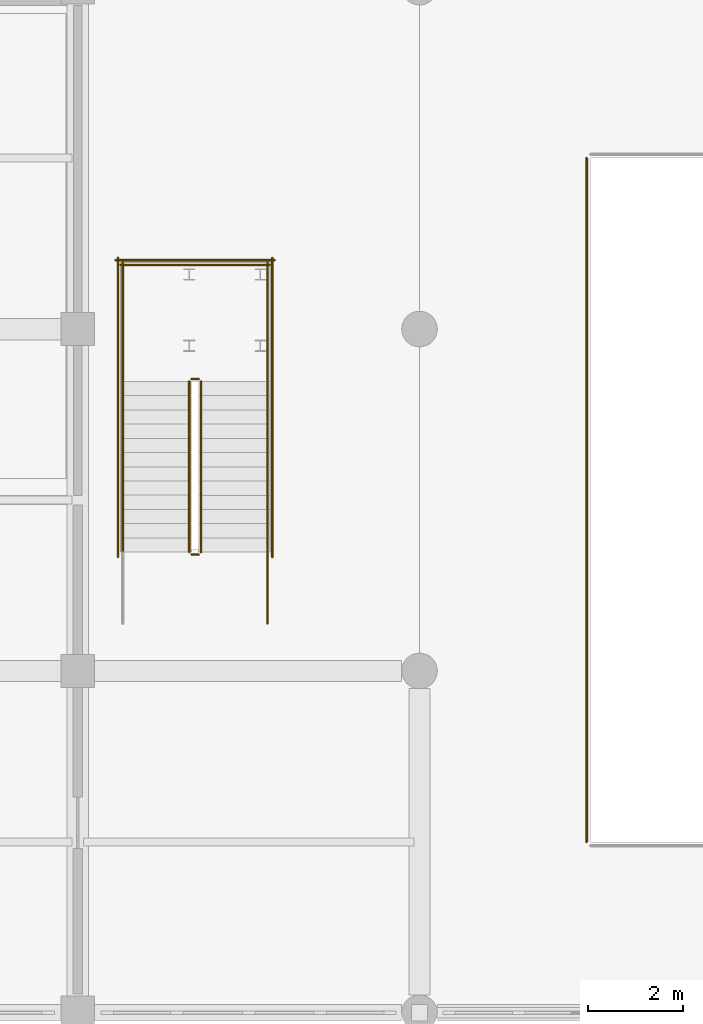
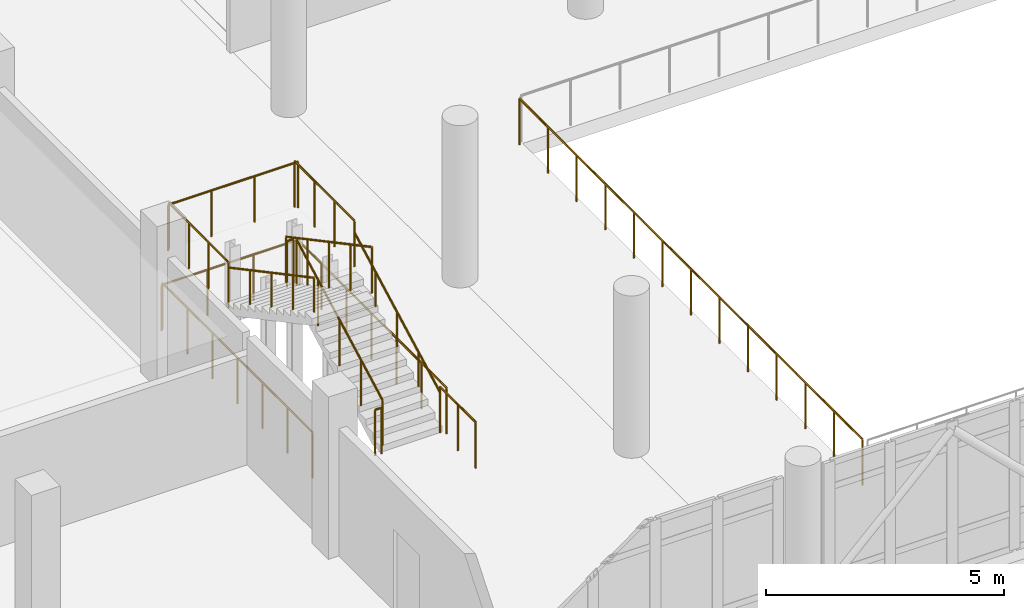
# One storey, part 49 of 57: 14 railings.
"""IFC4 building model written with IfcOpenShell, lengths in metres."""

from ifc_helpers import new_model, si_unit, direction, frame, origin, origin_2d, place, context, subcontext, project, spatial, circle, extrude, material, type_object, element, save


model = new_model("IFC4")

# Units and contexts
model_context = context("Model", 3, precision=1e-05, world=origin(), true_north=direction((0.0, 1.0)))
body_context = subcontext(model_context, "Body", "Model", "MODEL_VIEW")
ifc_project = project(units=[si_unit("LENGTHUNIT", "METRE"), si_unit("AREAUNIT", "SQUARE_METRE"), si_unit("VOLUMEUNIT", "CUBIC_METRE"), si_unit("PLANEANGLEUNIT", "RADIAN"), si_unit("MASSUNIT", "GRAM", prefix="KILO")], contexts=[model_context])

# Site, building, storey
site_placement = place(None, origin())
site = spatial("IfcSite", under=ifc_project, at=site_placement, CompositionType="ELEMENT")
building_placement = place(site_placement, origin())
building = spatial("IfcBuilding", under=site, at=building_placement, Name="Valkovuoma Quantum and Materials Research Institute", CompositionType="ELEMENT")
storey_placement = place(building_placement, frame((0.0, 0.0, 4.800048828125)))
storey = spatial("IfcBuildingStorey", under=building, at=storey_placement, Name="L01", CompositionType="ELEMENT", Elevation=4.800048828125)

# Railings
ifc_material_1 = material(Name="Hot-dip galvanised and powder-coated steel guardrail", Category="steel")
railing_type_1 = type_object("IfcRailingType", Name="Rail-GRD-EXT", PredefinedType="BALUSTRADE", material=ifc_material_1)
railing_1_placement = place(storey_placement, frame((46.719970703125, 39.60009765625, 0.0)))
element("IfcRailing", 1, at=railing_1_placement, inside=storey, type_object=railing_type_1, Name="L01 atrium_void balustrade W", PredefinedType="BALUSTRADE", context=body_context, shape_type="SweptSolid", body=[
    extrude(circle(Radius=0.02392578125, at=origin_2d()), frame((0.0, 0.0, 1.17578125), z_axis=(0.0, 1.0, 0.0), x_axis=(-1.0, 0.0, 0.0)), (0.0, 0.0, 1.0), 14.39990234375),
    extrude(circle(Radius=0.02099609375, at=origin_2d()), origin(), (0.0, 0.0, 1.0), 1.15185546875),
    extrude(circle(Radius=0.02099609375, at=origin_2d()), frame((0.0, 1.199951171875, 0.0)), (0.0, 0.0, 1.0), 1.15185546875),
    extrude(circle(Radius=0.02099609375, at=origin_2d()), frame((0.0, 2.39990234375, 0.0)), (0.0, 0.0, 1.0), 1.15185546875),
    extrude(circle(Radius=0.02099609375, at=origin_2d()), frame((0.0, 3.60009765625, 0.0)), (0.0, 0.0, 1.0), 1.15185546875),
    extrude(circle(Radius=0.02099609375, at=origin_2d()), frame((0.0, 4.800048828125, 0.0)), (0.0, 0.0, 1.0), 1.15185546875),
    extrude(circle(Radius=0.02099609375, at=origin_2d()), frame((0.0, 6.0, 0.0)), (0.0, 0.0, 1.0), 1.15185546875),
    extrude(circle(Radius=0.02099609375, at=origin_2d()), frame((0.0, 7.199951171875, 0.0)), (0.0, 0.0, 1.0), 1.15185546875),
    extrude(circle(Radius=0.02099609375, at=origin_2d()), frame((0.0, 8.39990234375, 0.0)), (0.0, 0.0, 1.0), 1.15185546875),
    extrude(circle(Radius=0.02099609375, at=origin_2d()), frame((0.0, 9.599853515625, 0.0)), (0.0, 0.0, 1.0), 1.15185546875),
    extrude(circle(Radius=0.02099609375, at=origin_2d()), frame((0.0, 10.7998046875, 0.0)), (0.0, 0.0, 1.0), 1.15185546875),
    extrude(circle(Radius=0.02099609375, at=origin_2d()), frame((0.0, 12.0, 0.0)), (0.0, 0.0, 1.0), 1.15185546875),
    extrude(circle(Radius=0.02099609375, at=origin_2d()), frame((0.0, 13.199951171875, 0.0)), (0.0, 0.0, 1.0), 1.15185546875),
    extrude(circle(Radius=0.02099609375, at=origin_2d()), frame((0.0, 14.39990234375, 0.0)), (0.0, 0.0, 1.0), 1.15185546875),
])
ifc_material_2 = material(Name="Painted steel stair balustrade", Category="steel")
railing_type_2 = type_object("IfcRailingType", Name="Rail-GRD-ST", PredefinedType="BALUSTRADE", material=ifc_material_2)
railing_2_placement = place(storey_placement, frame((38.60009765625, 45.699951171875, 0.159912109375)))
element("IfcRailing", 2, at=railing_2_placement, inside=storey, type_object=railing_type_2, Name="L01 ST-5 stair guard 1", PredefinedType="BALUSTRADE", context=body_context, shape_type="SweptSolid", body=[
    extrude(circle(Radius=0.02392578125, at=origin_2d()), frame((0.0, 0.0, 1.17578125), z_axis=(0.0, 0.882366192074, 0.470563389019), x_axis=(-1.0, 0.0, 0.0)), (0.0, 0.0, 1.0), 4.080078125),
    extrude(circle(Radius=0.02099609375, at=origin_2d()), origin(), (0.0, 0.0, 1.0), 1.15185546875),
    extrude(circle(Radius=0.02099609375, at=origin_2d()), frame((0.0, 0.89990234375, 0.47998046875)), (0.0, 0.0, 1.0), 1.15185546875),
    extrude(circle(Radius=0.02099609375, at=origin_2d()), frame((0.0, 1.800048828125, 0.9599609375)), (0.0, 0.0, 1.0), 1.15185546875),
    extrude(circle(Radius=0.02099609375, at=origin_2d()), frame((0.0, 2.7001953125, 1.43994140625)), (0.0, 0.0, 1.0), 1.15185546875),
    extrude(circle(Radius=0.02099609375, at=origin_2d()), frame((0.0, 3.60009765625, 1.919921875)), (0.0, 0.0, 1.0), 1.15185546875),
])
railing_3_placement = place(storey_placement, frame((38.550048828125, 49.35009765625, 2.079833984375)))
element("IfcRailing", 3, at=railing_3_placement, inside=storey, type_object=railing_type_2, Name="L01 ST-5 stair guard 2", PredefinedType="BALUSTRADE", context=body_context, shape_type="SweptSolid", body=[
    extrude(circle(Radius=0.02392578125, at=origin_2d()), frame((0.0, 0.0, 1.17578125), z_axis=(-1.0, 0.0, 0.0), x_axis=(0.0, -1.0, 0.0)), (0.0, 0.0, 1.0), 0.150146484375),
    extrude(circle(Radius=0.02099609375, at=origin_2d()), origin(), (0.0, 0.0, 1.0), 1.15185546875),
    extrude(circle(Radius=0.02099609375, at=origin_2d()), frame((-0.150146484375, 0.0, 0.0)), (0.0, 0.0, 1.0), 1.15185546875),
])
for number, where, name in (
    (4, (40.0, 49.300048828125, 2.079833984375), "L01 ST-5 stair guard 3"),
    (5, (36.949951171875, 49.300048828125, 2.079833984375), "L01 ST-5 stair guard 4"),
):
    element("IfcRailing", number, at=place(storey_placement, frame(where)), inside=storey, type_object=railing_type_2, Name=name, PredefinedType="BALUSTRADE", context=body_context, shape_type="SweptSolid", body=[
        extrude(circle(Radius=0.02392578125, at=origin_2d()), frame((0.0, 0.0, 1.17578125), z_axis=(0.0, 1.0, 0.0), x_axis=(-1.0, 0.0, 0.0)), (0.0, 0.0, 1.0), 2.5),
        extrude(circle(Radius=0.02099609375, at=origin_2d()), origin(), (0.0, 0.0, 1.0), 1.15185546875),
        extrude(circle(Radius=0.02099609375, at=origin_2d()), frame((0.0, 0.833251953125, 0.0)), (0.0, 0.0, 1.0), 1.15185546875),
        extrude(circle(Radius=0.02099609375, at=origin_2d()), frame((0.0, 1.666748046875, 0.0)), (0.0, 0.0, 1.0), 1.15185546875),
        extrude(circle(Radius=0.02099609375, at=origin_2d()), frame((0.0, 2.5, 0.0)), (0.0, 0.0, 1.0), 1.15185546875),
    ])
railing_4_placement = place(storey_placement, frame((40.050048828125, 51.75, 2.079833984375)))
element("IfcRailing", 6, at=railing_4_placement, inside=storey, type_object=railing_type_2, Name="L01 ST-5 stair guard 5", PredefinedType="BALUSTRADE", context=body_context, shape_type="SweptSolid", body=[
    extrude(circle(Radius=0.02392578125, at=origin_2d()), frame((0.0, 0.0, 1.17578125), z_axis=(-1.0, 0.0, 0.0), x_axis=(0.0, -1.0, 0.0)), (0.0, 0.0, 1.0), 3.150146484375),
    extrude(circle(Radius=0.02099609375, at=origin_2d()), origin(), (0.0, 0.0, 1.0), 1.15185546875),
    extrude(circle(Radius=0.02099609375, at=origin_2d()), frame((-1.050048828125, 0.0, 0.0)), (0.0, 0.0, 1.0), 1.15185546875),
    extrude(circle(Radius=0.02099609375, at=origin_2d()), frame((-2.10009765625, 0.0, 0.0)), (0.0, 0.0, 1.0), 1.15185546875),
    extrude(circle(Radius=0.02099609375, at=origin_2d()), frame((-3.150146484375, 0.0, 0.0)), (0.0, 0.0, 1.0), 1.15185546875),
])
railing_5_placement = place(storey_placement, frame((38.35009765625, 49.300048828125, 2.239990234375)))
element("IfcRailing", 7, at=railing_5_placement, inside=storey, type_object=railing_type_2, Name="L01 ST-5 stair guard 6", PredefinedType="BALUSTRADE", context=body_context, shape_type="SweptSolid", body=[
    extrude(circle(Radius=0.02392578125, at=origin_2d()), frame((0.0, 0.0, 1.17578125), z_axis=(0.0, -0.882366192074, 0.470563389019), x_axis=(1.0, 0.0, 0.0)), (0.0, 0.0, 1.0), 4.080078125),
    extrude(circle(Radius=0.02099609375, at=origin_2d()), origin(), (0.0, 0.0, 1.0), 1.15185546875),
    extrude(circle(Radius=0.02099609375, at=origin_2d()), frame((0.0, -0.89990234375, 0.47998046875)), (0.0, 0.0, 1.0), 1.15185546875),
    extrude(circle(Radius=0.02099609375, at=origin_2d()), frame((0.0, -1.800048828125, 0.9599609375)), (0.0, 0.0, 1.0), 1.15185546875),
    extrude(circle(Radius=0.02099609375, at=origin_2d()), frame((0.0, -2.7001953125, 1.43994140625)), (0.0, 0.0, 1.0), 1.15185546875),
    extrude(circle(Radius=0.02099609375, at=origin_2d()), frame((0.0, -3.60009765625, 1.919921875)), (0.0, 0.0, 1.0), 1.15185546875),
])
railing_6_placement = place(storey_placement, frame((38.550048828125, 45.64990234375, 0.0)))
element("IfcRailing", 8, at=railing_6_placement, inside=storey, type_object=railing_type_2, Name="L01 ST-5 stair guard 7", PredefinedType="BALUSTRADE", context=body_context, shape_type="SweptSolid", body=[
    extrude(circle(Radius=0.02392578125, at=origin_2d()), frame((0.0, 0.0, 1.17578125), z_axis=(-1.0, 0.0, 0.0), x_axis=(0.0, -1.0, 0.0)), (0.0, 0.0, 1.0), 0.150146484375),
    extrude(circle(Radius=0.02099609375, at=origin_2d()), origin(), (0.0, 0.0, 1.0), 1.15185546875),
    extrude(circle(Radius=0.02099609375, at=origin_2d()), frame((-0.150146484375, 0.0, 0.0)), (0.0, 0.0, 1.0), 1.15185546875),
])
railing_7_placement = place(storey_placement, frame((40.0, 44.199951171875, 0.0)))
element("IfcRailing", 9, at=railing_7_placement, inside=storey, type_object=railing_type_2, Name="L01 ST-5 stair guard 8", PredefinedType="BALUSTRADE", context=body_context, shape_type="SweptSolid", body=[
    extrude(circle(Radius=0.02392578125, at=origin_2d()), frame((0.0, 0.0, 1.17578125), z_axis=(0.0, 1.0, 0.0), x_axis=(-1.0, 0.0, 0.0)), (0.0, 0.0, 1.0), 1.5),
    extrude(circle(Radius=0.02099609375, at=origin_2d()), origin(), (0.0, 0.0, 1.0), 1.15185546875),
    extrude(circle(Radius=0.02099609375, at=origin_2d()), frame((0.0, 0.75, 0.0)), (0.0, 0.0, 1.0), 1.15185546875),
    extrude(circle(Radius=0.02099609375, at=origin_2d()), frame((0.0, 1.5, 0.0)), (0.0, 0.0, 1.0), 1.15185546875),
])
for number, where, name in (
    (10, (40.10009765625, 45.60009765625, 0.0), "L01 ST-5 stair guard 10"),
    (11, (36.85009765625, 45.60009765625, 0.0), "L01 ST-5 stair guard 11"),
):
    element("IfcRailing", number, at=place(storey_placement, frame(where)), inside=storey, type_object=railing_type_2, Name=name, PredefinedType="BALUSTRADE", context=body_context, shape_type="SweptSolid", body=[
        extrude(circle(Radius=0.02392578125, at=origin_2d()), frame((0.0, 0.0, 1.17578125), z_axis=(0.0, 1.0, 0.0), x_axis=(-1.0, 0.0, 0.0)), (0.0, 0.0, 1.0), 6.2998046875),
        extrude(circle(Radius=0.02099609375, at=origin_2d()), origin(), (0.0, 0.0, 1.0), 1.15185546875),
        extrude(circle(Radius=0.02099609375, at=origin_2d()), frame((0.0, 1.050048828125, 0.0)), (0.0, 0.0, 1.0), 1.15185546875),
        extrude(circle(Radius=0.02099609375, at=origin_2d()), frame((0.0, 2.099853515625, 0.0)), (0.0, 0.0, 1.0), 1.15185546875),
        extrude(circle(Radius=0.02099609375, at=origin_2d()), frame((0.0, 3.14990234375, 0.0)), (0.0, 0.0, 1.0), 1.15185546875),
        extrude(circle(Radius=0.02099609375, at=origin_2d()), frame((0.0, 4.199951171875, 0.0)), (0.0, 0.0, 1.0), 1.15185546875),
        extrude(circle(Radius=0.02099609375, at=origin_2d()), frame((0.0, 5.249755859375, 0.0)), (0.0, 0.0, 1.0), 1.15185546875),
        extrude(circle(Radius=0.02099609375, at=origin_2d()), frame((0.0, 6.2998046875, 0.0)), (0.0, 0.0, 1.0), 1.15185546875),
    ])
railing_8_placement = place(storey_placement, frame((40.14990234375, 51.85009765625, 0.0)))
element("IfcRailing", 12, at=railing_8_placement, inside=storey, type_object=railing_type_2, Name="L01 ST-5 stair guard 12", PredefinedType="BALUSTRADE", context=body_context, shape_type="SweptSolid", body=[
    extrude(circle(Radius=0.02392578125, at=origin_2d()), frame((0.0, 0.0, 1.17578125), z_axis=(-1.0, 0.0, 0.0), x_axis=(0.0, -1.0, 0.0)), (0.0, 0.0, 1.0), 3.349853515625),
    extrude(circle(Radius=0.02099609375, at=origin_2d()), origin(), (0.0, 0.0, 1.0), 1.15185546875),
    extrude(circle(Radius=0.02099609375, at=origin_2d()), frame((-1.11669921875, 0.0, 0.0)), (0.0, 0.0, 1.0), 1.15185546875),
    extrude(circle(Radius=0.02099609375, at=origin_2d()), frame((-2.233154296875, 0.0, 0.0)), (0.0, 0.0, 1.0), 1.15185546875),
    extrude(circle(Radius=0.02099609375, at=origin_2d()), frame((-3.349853515625, 0.0, 0.0)), (0.0, 0.0, 1.0), 1.15185546875),
])
ifc_material_3 = material(Name="Brushed stainless steel handrail", Category="steel")
railing_type_3 = type_object("IfcRailingType", Name="Rail-HR-ST", PredefinedType="HANDRAIL", material=ifc_material_3)
railing_9_placement = place(storey_placement, frame((40.0, 45.699951171875, 0.159912109375)))
element("IfcRailing", 13, at=railing_9_placement, inside=storey, type_object=railing_type_3, Name="L01 ST-5 stair handrail 1", PredefinedType="HANDRAIL", context=body_context, shape_type="SweptSolid", body=[
    extrude(circle(Radius=0.02392578125, at=origin_2d()), frame((0.0, 0.0, 0.8759765625), z_axis=(0.0, 0.882366192074, 0.470563389019), x_axis=(-1.0, 0.0, 0.0)), (0.0, 0.0, 1.0), 4.080078125),
    extrude(circle(Radius=0.02099609375, at=origin_2d()), origin(), (0.0, 0.0, 1.0), 0.851806640625),
    extrude(circle(Radius=0.02099609375, at=origin_2d()), frame((0.0, 0.89990234375, 0.47998046875)), (0.0, 0.0, 1.0), 0.851806640625),
    extrude(circle(Radius=0.02099609375, at=origin_2d()), frame((0.0, 1.800048828125, 0.9599609375)), (0.0, 0.0, 1.0), 0.851806640625),
    extrude(circle(Radius=0.02099609375, at=origin_2d()), frame((0.0, 2.7001953125, 1.43994140625)), (0.0, 0.0, 1.0), 0.851806640625),
    extrude(circle(Radius=0.02099609375, at=origin_2d()), frame((0.0, 3.60009765625, 1.919921875)), (0.0, 0.0, 1.0), 0.851806640625),
])
railing_10_placement = place(storey_placement, frame((36.949951171875, 49.300048828125, 2.239990234375)))
element("IfcRailing", 14, at=railing_10_placement, inside=storey, type_object=railing_type_3, Name="L01 ST-5 stair handrail 2", PredefinedType="HANDRAIL", context=body_context, shape_type="SweptSolid", body=[
    extrude(circle(Radius=0.02392578125, at=origin_2d()), frame((0.0, 0.0, 0.8759765625), z_axis=(0.0, -0.882366192074, 0.470563389019), x_axis=(1.0, 0.0, 0.0)), (0.0, 0.0, 1.0), 4.080078125),
    extrude(circle(Radius=0.02099609375, at=origin_2d()), origin(), (0.0, 0.0, 1.0), 0.851806640625),
    extrude(circle(Radius=0.02099609375, at=origin_2d()), frame((0.0, -0.89990234375, 0.47998046875)), (0.0, 0.0, 1.0), 0.851806640625),
    extrude(circle(Radius=0.02099609375, at=origin_2d()), frame((0.0, -1.800048828125, 0.9599609375)), (0.0, 0.0, 1.0), 0.851806640625),
    extrude(circle(Radius=0.02099609375, at=origin_2d()), frame((0.0, -2.7001953125, 1.43994140625)), (0.0, 0.0, 1.0), 0.851806640625),
    extrude(circle(Radius=0.02099609375, at=origin_2d()), frame((0.0, -3.60009765625, 1.919921875)), (0.0, 0.0, 1.0), 0.851806640625),
])

save(model, "model.ifc")
